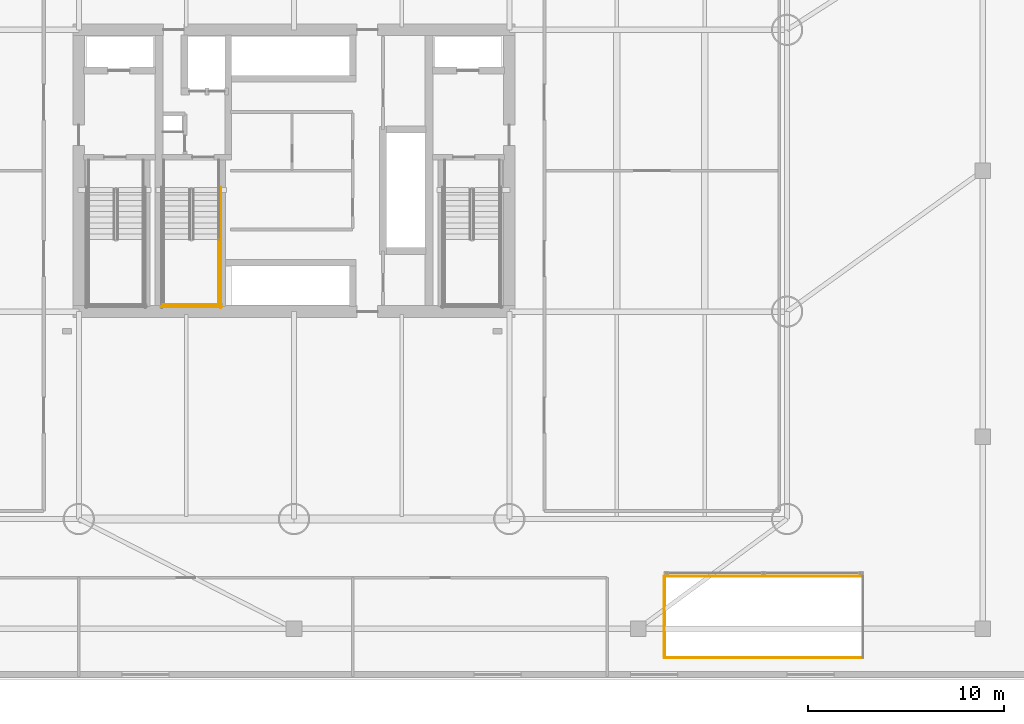
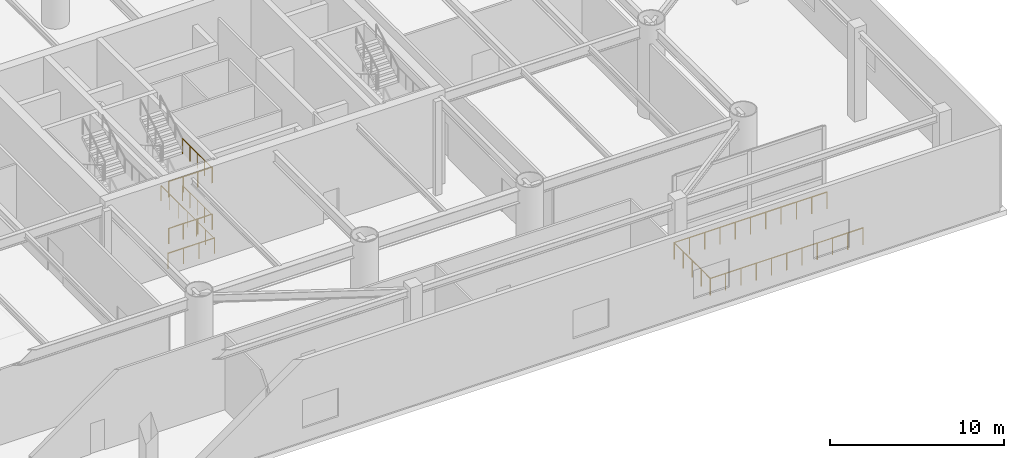
# One storey, part 12 of 16: 9 railings.
"""IFC4 building model written with IfcOpenShell, lengths in metres."""

from ifc_helpers import new_model, si_unit, direction, frame, origin, origin_2d, place, context, subcontext, project, spatial, circle, extrude, material, type_object, element, save


model = new_model("IFC4")

# Units and contexts
model_context = context("Model", 3, precision=1e-05, world=origin(), true_north=direction((0.0, 1.0)))
body_context = subcontext(model_context, "Body", "Model", "MODEL_VIEW")
ifc_project = project(units=[si_unit("LENGTHUNIT", "METRE"), si_unit("AREAUNIT", "SQUARE_METRE"), si_unit("VOLUMEUNIT", "CUBIC_METRE"), si_unit("PLANEANGLEUNIT", "RADIAN"), si_unit("MASSUNIT", "GRAM", prefix="KILO")], contexts=[model_context])

# Site, building, storey
site_placement = place(None, origin())
site = spatial("IfcSite", under=ifc_project, at=site_placement, CompositionType="ELEMENT")
building_placement = place(site_placement, origin())
building = spatial("IfcBuilding", under=site, at=building_placement, Name="Bramvorn Convention Spire", CompositionType="ELEMENT")
storey_placement = place(building_placement, frame((0.0, 0.0, 12.0)))
storey = spatial("IfcBuildingStorey", under=building, at=storey_placement, Name="L02", CompositionType="ELEMENT", Elevation=12.0)

# Railings
ifc_material_1 = material(Name="Warm Bronze Perforated Metal & Glass Balustrade", Category="glass")
railing_type_1 = type_object("IfcRailingType", Name="RL-POD-BALUSTRADE-1200", PredefinedType="BALUSTRADE", material=ifc_material_1)
railing_1_placement = place(storey_placement, frame((56.919921875, 1.1201171875, 0.0)))
element("IfcRailing", 1, at=railing_1_placement, inside=storey, type_object=railing_type_1, Name="L02 SE void perimeter balustrade side 1", PredefinedType="BALUSTRADE", context=body_context, shape_type="SweptSolid", body=[
    extrude(circle(Radius=0.02392578125, at=origin_2d()), frame((0.0, 0.0, 1.17578125), z_axis=(1.0, 0.0, 0.0), x_axis=(0.0, 1.0, 0.0)), (0.0, 0.0, 1.0), 10.16015625),
    extrude(circle(Radius=0.02099609375, at=origin_2d()), origin(), (0.0, 0.0, 1.0), 1.15185546875),
    extrude(circle(Radius=0.02099609375, at=origin_2d()), frame((1.01611328125, 0.0, 0.0)), (0.0, 0.0, 1.0), 1.15185546875),
    extrude(circle(Radius=0.02099609375, at=origin_2d()), frame((2.031982421875, 0.0, 0.0)), (0.0, 0.0, 1.0), 1.15185546875),
    extrude(circle(Radius=0.02099609375, at=origin_2d()), frame((3.048095703125, 0.0, 0.0)), (0.0, 0.0, 1.0), 1.15185546875),
    extrude(circle(Radius=0.02099609375, at=origin_2d()), frame((4.06396484375, 0.0, 0.0)), (0.0, 0.0, 1.0), 1.15185546875),
    extrude(circle(Radius=0.02099609375, at=origin_2d()), frame((5.080078125, 0.0, 0.0)), (0.0, 0.0, 1.0), 1.15185546875),
    extrude(circle(Radius=0.02099609375, at=origin_2d()), frame((6.09619140625, 0.0, 0.0)), (0.0, 0.0, 1.0), 1.15185546875),
    extrude(circle(Radius=0.02099609375, at=origin_2d()), frame((7.112060546875, 0.0, 0.0)), (0.0, 0.0, 1.0), 1.15185546875),
    extrude(circle(Radius=0.02099609375, at=origin_2d()), frame((8.128173828125, 0.0, 0.0)), (0.0, 0.0, 1.0), 1.15185546875),
    extrude(circle(Radius=0.02099609375, at=origin_2d()), frame((9.14404296875, 0.0, 0.0)), (0.0, 0.0, 1.0), 1.15185546875),
    extrude(circle(Radius=0.02099609375, at=origin_2d()), frame((10.16015625, 0.0, 0.0)), (0.0, 0.0, 1.0), 1.15185546875),
])
railing_2_placement = place(storey_placement, frame((67.080078125, 5.280029296875, 0.0)))
element("IfcRailing", 2, at=railing_2_placement, inside=storey, type_object=railing_type_1, Name="L02 SE void perimeter balustrade side 3", PredefinedType="BALUSTRADE", context=body_context, shape_type="SweptSolid", body=[
    extrude(circle(Radius=0.02392578125, at=origin_2d()), frame((0.0, 0.0, 1.17578125), z_axis=(-1.0, 0.0, 0.0), x_axis=(0.0, -1.0, 0.0)), (0.0, 0.0, 1.0), 10.16015625),
    extrude(circle(Radius=0.02099609375, at=origin_2d()), origin(), (0.0, 0.0, 1.0), 1.15185546875),
    extrude(circle(Radius=0.02099609375, at=origin_2d()), frame((-1.01611328125, 0.0, 0.0)), (0.0, 0.0, 1.0), 1.15185546875),
    extrude(circle(Radius=0.02099609375, at=origin_2d()), frame((-2.031982421875, 0.0, 0.0)), (0.0, 0.0, 1.0), 1.15185546875),
    extrude(circle(Radius=0.02099609375, at=origin_2d()), frame((-3.048095703125, 0.0, 0.0)), (0.0, 0.0, 1.0), 1.15185546875),
    extrude(circle(Radius=0.02099609375, at=origin_2d()), frame((-4.06396484375, 0.0, 0.0)), (0.0, 0.0, 1.0), 1.15185546875),
    extrude(circle(Radius=0.02099609375, at=origin_2d()), frame((-5.080078125, 0.0, 0.0)), (0.0, 0.0, 1.0), 1.15185546875),
    extrude(circle(Radius=0.02099609375, at=origin_2d()), frame((-6.09619140625, 0.0, 0.0)), (0.0, 0.0, 1.0), 1.15185546875),
    extrude(circle(Radius=0.02099609375, at=origin_2d()), frame((-7.112060546875, 0.0, 0.0)), (0.0, 0.0, 1.0), 1.15185546875),
    extrude(circle(Radius=0.02099609375, at=origin_2d()), frame((-8.128173828125, 0.0, 0.0)), (0.0, 0.0, 1.0), 1.15185546875),
    extrude(circle(Radius=0.02099609375, at=origin_2d()), frame((-9.14404296875, 0.0, 0.0)), (0.0, 0.0, 1.0), 1.15185546875),
    extrude(circle(Radius=0.02099609375, at=origin_2d()), frame((-10.16015625, 0.0, 0.0)), (0.0, 0.0, 1.0), 1.15185546875),
])
railing_3_placement = place(storey_placement, frame((56.919921875, 5.280029296875, 0.0)))
element("IfcRailing", 3, at=railing_3_placement, inside=storey, type_object=railing_type_1, Name="L02 SE void perimeter balustrade side 4", PredefinedType="BALUSTRADE", context=body_context, shape_type="SweptSolid", body=[
    extrude(circle(Radius=0.02392578125, at=origin_2d()), frame((0.0, 0.0, 1.17578125), z_axis=(0.0, -1.0, 0.0), x_axis=(1.0, 0.0, 0.0)), (0.0, 0.0, 1.0), 4.159912109375),
    extrude(circle(Radius=0.02099609375, at=origin_2d()), origin(), (0.0, 0.0, 1.0), 1.15185546875),
    extrude(circle(Radius=0.02099609375, at=origin_2d()), frame((0.0, -1.0400390625, 0.0)), (0.0, 0.0, 1.0), 1.15185546875),
    extrude(circle(Radius=0.02099609375, at=origin_2d()), frame((0.0, -2.080078125, 0.0)), (0.0, 0.0, 1.0), 1.15185546875),
    extrude(circle(Radius=0.02099609375, at=origin_2d()), frame((0.0, -3.119873046875, 0.0)), (0.0, 0.0, 1.0), 1.15185546875),
    extrude(circle(Radius=0.02099609375, at=origin_2d()), frame((0.0, -4.159912109375, 0.0)), (0.0, 0.0, 1.0), 1.15185546875),
])
ifc_material_2 = material(Name="Painted Steel Balustrade & Guardrail", Category="steel")
railing_type_2 = type_object("IfcRailingType", Name="RL-STAIR-GUARD-1100", PredefinedType="GUARDRAIL", material=ifc_material_2)
railing_4_placement = place(storey_placement, frame((34.14990234375, 22.485107421875, 1.64990234375)))
element("IfcRailing", 4, at=railing_4_placement, inside=storey, type_object=railing_type_2, Name="L02 ST3 stair guard 4", PredefinedType="GUARDRAIL", context=body_context, shape_type="SweptSolid", body=[
    extrude(circle(Radius=0.02392578125, at=origin_2d()), frame((0.0, 0.0, 1.076171875), z_axis=(0.0, -1.0, 0.0), x_axis=(1.0, 0.0, 0.0)), (0.0, 0.0, 1.0), 3.385009765625),
    extrude(circle(Radius=0.02099609375, at=origin_2d()), origin(), (0.0, 0.0, 1.0), 1.052001953125),
    extrude(circle(Radius=0.02099609375, at=origin_2d()), frame((0.0, -0.84619140625, 0.0)), (0.0, 0.0, 1.0), 1.052001953125),
    extrude(circle(Radius=0.02099609375, at=origin_2d()), frame((0.0, -1.6923828125, 0.0)), (0.0, 0.0, 1.0), 1.052001953125),
    extrude(circle(Radius=0.02099609375, at=origin_2d()), frame((0.0, -2.538818359375, 0.0)), (0.0, 0.0, 1.0), 1.052001953125),
    extrude(circle(Radius=0.02099609375, at=origin_2d()), frame((0.0, -3.385009765625, 0.0)), (0.0, 0.0, 1.0), 1.052001953125),
])
railing_5_placement = place(storey_placement, frame((31.300048828125, 19.14990234375, 1.64990234375)))
element("IfcRailing", 5, at=railing_5_placement, inside=storey, type_object=railing_type_2, Name="L02 ST3 stair guard 5", PredefinedType="GUARDRAIL", context=body_context, shape_type="SweptSolid", body=[
    extrude(circle(Radius=0.02392578125, at=origin_2d()), frame((0.0, 0.0, 1.076171875), z_axis=(1.0, 0.0, 0.0), x_axis=(0.0, 1.0, 0.0)), (0.0, 0.0, 1.0), 2.89990234375),
    extrude(circle(Radius=0.02099609375, at=origin_2d()), origin(), (0.0, 0.0, 1.0), 1.052001953125),
    extrude(circle(Radius=0.02099609375, at=origin_2d()), frame((0.966552734375, 0.0, 0.0)), (0.0, 0.0, 1.0), 1.052001953125),
    extrude(circle(Radius=0.02099609375, at=origin_2d()), frame((1.933349609375, 0.0, 0.0)), (0.0, 0.0, 1.0), 1.052001953125),
    extrude(circle(Radius=0.02099609375, at=origin_2d()), frame((2.89990234375, 0.0, 0.0)), (0.0, 0.0, 1.0), 1.052001953125),
])
railing_6_placement = place(storey_placement, frame((34.14990234375, 22.485107421875, 4.949951171875)))
element("IfcRailing", 6, at=railing_6_placement, inside=storey, type_object=railing_type_2, Name="L02 ST3 stair guard 13", PredefinedType="GUARDRAIL", context=body_context, shape_type="SweptSolid", body=[
    extrude(circle(Radius=0.02392578125, at=origin_2d()), frame((0.0, 0.0, 1.076171875), z_axis=(0.0, -1.0, 0.0), x_axis=(1.0, 0.0, 0.0)), (0.0, 0.0, 1.0), 3.385009765625),
    extrude(circle(Radius=0.02099609375, at=origin_2d()), origin(), (0.0, 0.0, 1.0), 1.052001953125),
    extrude(circle(Radius=0.02099609375, at=origin_2d()), frame((0.0, -0.84619140625, 0.0)), (0.0, 0.0, 1.0), 1.052001953125),
    extrude(circle(Radius=0.02099609375, at=origin_2d()), frame((0.0, -1.6923828125, 0.0)), (0.0, 0.0, 1.0), 1.052001953125),
    extrude(circle(Radius=0.02099609375, at=origin_2d()), frame((0.0, -2.538818359375, 0.0)), (0.0, 0.0, 1.0), 1.052001953125),
    extrude(circle(Radius=0.02099609375, at=origin_2d()), frame((0.0, -3.385009765625, 0.0)), (0.0, 0.0, 1.0), 1.052001953125),
])
railing_7_placement = place(storey_placement, frame((31.300048828125, 19.14990234375, 4.949951171875)))
element("IfcRailing", 7, at=railing_7_placement, inside=storey, type_object=railing_type_2, Name="L02 ST3 stair guard 14", PredefinedType="GUARDRAIL", context=body_context, shape_type="SweptSolid", body=[
    extrude(circle(Radius=0.02392578125, at=origin_2d()), frame((0.0, 0.0, 1.076171875), z_axis=(1.0, 0.0, 0.0), x_axis=(0.0, 1.0, 0.0)), (0.0, 0.0, 1.0), 2.89990234375),
    extrude(circle(Radius=0.02099609375, at=origin_2d()), origin(), (0.0, 0.0, 1.0), 1.052001953125),
    extrude(circle(Radius=0.02099609375, at=origin_2d()), frame((0.966552734375, 0.0, 0.0)), (0.0, 0.0, 1.0), 1.052001953125),
    extrude(circle(Radius=0.02099609375, at=origin_2d()), frame((1.933349609375, 0.0, 0.0)), (0.0, 0.0, 1.0), 1.052001953125),
    extrude(circle(Radius=0.02099609375, at=origin_2d()), frame((2.89990234375, 0.0, 0.0)), (0.0, 0.0, 1.0), 1.052001953125),
])
railing_8_placement = place(storey_placement, frame((34.25, 25.14990234375, 0.0)))
element("IfcRailing", 8, at=railing_8_placement, inside=storey, type_object=railing_type_2, Name="L02 ST3 stair guard 20", PredefinedType="GUARDRAIL", context=body_context, shape_type="SweptSolid", body=[
    extrude(circle(Radius=0.02392578125, at=origin_2d()), frame((0.0, 0.0, 1.076171875), z_axis=(0.0, -1.0, 0.0), x_axis=(1.0, 0.0, 0.0)), (0.0, 0.0, 1.0), 6.14990234375),
    extrude(circle(Radius=0.02099609375, at=origin_2d()), origin(), (0.0, 0.0, 1.0), 1.052001953125),
    extrude(circle(Radius=0.02099609375, at=origin_2d()), frame((0.0, -1.02490234375, 0.0)), (0.0, 0.0, 1.0), 1.052001953125),
    extrude(circle(Radius=0.02099609375, at=origin_2d()), frame((0.0, -2.050048828125, 0.0)), (0.0, 0.0, 1.0), 1.052001953125),
    extrude(circle(Radius=0.02099609375, at=origin_2d()), frame((0.0, -3.074951171875, 0.0)), (0.0, 0.0, 1.0), 1.052001953125),
    extrude(circle(Radius=0.02099609375, at=origin_2d()), frame((0.0, -4.099853515625, 0.0)), (0.0, 0.0, 1.0), 1.052001953125),
    extrude(circle(Radius=0.02099609375, at=origin_2d()), frame((0.0, -5.125, 0.0)), (0.0, 0.0, 1.0), 1.052001953125),
    extrude(circle(Radius=0.02099609375, at=origin_2d()), frame((0.0, -6.14990234375, 0.0)), (0.0, 0.0, 1.0), 1.052001953125),
])
railing_9_placement = place(storey_placement, frame((31.199951171875, 19.050048828125, 0.0)))
element("IfcRailing", 9, at=railing_9_placement, inside=storey, type_object=railing_type_2, Name="L02 ST3 stair guard 21", PredefinedType="GUARDRAIL", context=body_context, shape_type="SweptSolid", body=[
    extrude(circle(Radius=0.02392578125, at=origin_2d()), frame((0.0, 0.0, 1.076171875), z_axis=(1.0, 0.0, 0.0), x_axis=(0.0, 1.0, 0.0)), (0.0, 0.0, 1.0), 3.10009765625),
    extrude(circle(Radius=0.02099609375, at=origin_2d()), origin(), (0.0, 0.0, 1.0), 1.052001953125),
    extrude(circle(Radius=0.02099609375, at=origin_2d()), frame((1.033447265625, 0.0, 0.0)), (0.0, 0.0, 1.0), 1.052001953125),
    extrude(circle(Radius=0.02099609375, at=origin_2d()), frame((2.066650390625, 0.0, 0.0)), (0.0, 0.0, 1.0), 1.052001953125),
    extrude(circle(Radius=0.02099609375, at=origin_2d()), frame((3.10009765625, 0.0, 0.0)), (0.0, 0.0, 1.0), 1.052001953125),
])

save(model, "model.ifc")
